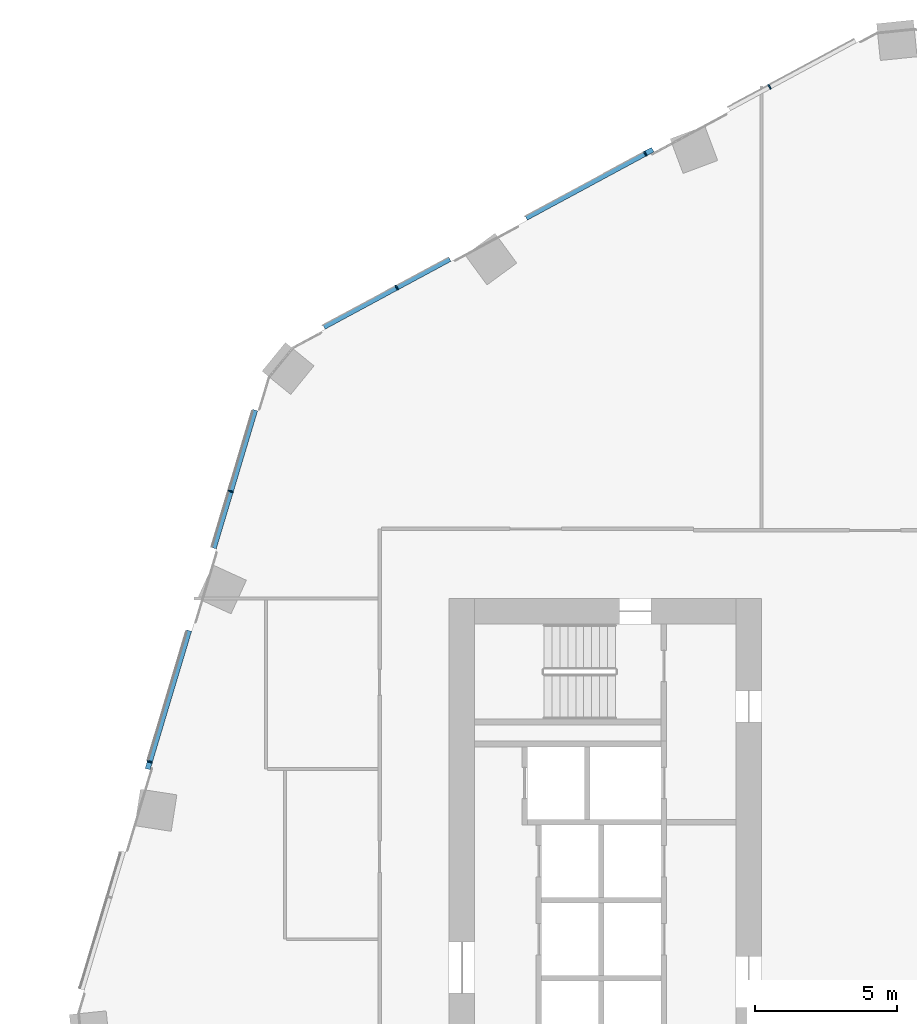
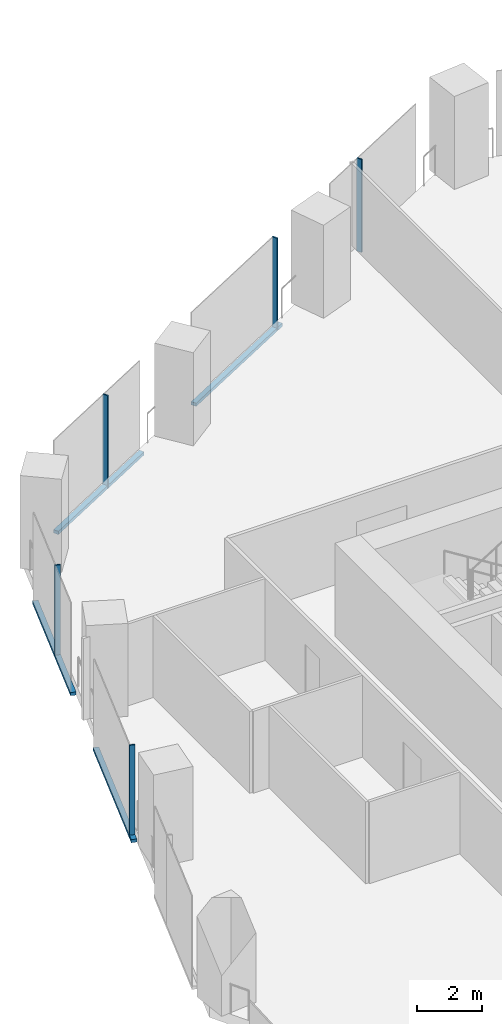
# One storey, part 9 of 32: 9 members, 2 elements without a shape of their own.
"""IFC4 building model written with IfcOpenShell, lengths in metres."""

from ifc_helpers import new_model, si_unit, direction, frame, origin, origin_2d, place, context, subcontext, project, spatial, rectangle, extrude, material, material_profile, profile_set, type_object, element, aggregate, save


model = new_model("IFC4")

# Units and contexts
model_context = context("Model", 3, precision=1e-05, world=origin(), true_north=direction((0.0, 1.0)))
body_context = subcontext(model_context, "Body", "Model", "MODEL_VIEW")
ifc_project = project(units=[si_unit("LENGTHUNIT", "METRE"), si_unit("AREAUNIT", "SQUARE_METRE"), si_unit("VOLUMEUNIT", "CUBIC_METRE"), si_unit("PLANEANGLEUNIT", "RADIAN"), si_unit("MASSUNIT", "GRAM", prefix="KILO")], contexts=[model_context])

# Site, building, storey
site_placement = place(None, origin())
site = spatial("IfcSite", under=ifc_project, at=site_placement, CompositionType="ELEMENT")
building_placement = place(site_placement, origin())
building = spatial("IfcBuilding", under=site, at=building_placement, Name="Orlundy Tower", CompositionType="ELEMENT")
storey_placement = place(building_placement, frame((0.0, 0.0, 123.699951171875)))
storey = spatial("IfcBuildingStorey", under=building, at=storey_placement, Name="L31", CompositionType="ELEMENT", Elevation=123.699951171875)

# Curtain wall, members
ifc_material_1 = material(Name="Aluminium bronze anodised", Category="aluminium")
curtain_wall_type = type_object("IfcCurtainWallType", Name="CW1 wall", PredefinedType="NOTDEFINED", material=ifc_material_1)
curtain_wall_1_placement = place(storey_placement, origin())
curtain_wall_1 = element("IfcCurtainWall", 1, at=curtain_wall_1_placement, inside=storey, type_object=curtain_wall_type, Name="CW1 run 02", PredefinedType="NOTDEFINED")
ifc_material_2 = material(Name="Aluminium bronze anodised", Category="aluminium")
ifc_material_profile_1 = material_profile(ifc_material_2, rectangle(XDim=0.179931640625, YDim=0.050048828125, at=origin_2d()), Name="CW1 mullion 50x180")
ifc_profile_set_1 = profile_set([ifc_material_profile_1], Name="Aluminium bronze anodised")
member_type_1 = type_object("IfcMemberType", Name="CW1 mullion 50x180", PredefinedType="MULLION", material=ifc_profile_set_1)
member_1_placement = place(storey_placement, frame((-29.5390625, 6.2490234375, -0.39990234375), z_axis=(0.0, 0.0, 1.0), x_axis=(-0.957985612971, 0.286816257107, 0.0)))
member_1 = element("IfcMember", 2, at=member_1_placement, type_object=member_type_1, Name="CW1 mullion 11", PredefinedType="MULLION", context=body_context, shape_type="SweptSolid", body=[
    extrude(rectangle(XDim=0.179931640625, YDim=0.050048828125, at=origin_2d()), origin(), (0.0, 0.0, 1.0), 3.5),
])
member_2_placement = place(storey_placement, frame((-26.687744140625, 15.772216796875, -0.39990234375), z_axis=(0.0, 0.0, 1.0), x_axis=(-0.957985612971, 0.286816257107, 0.0)))
member_2 = element("IfcMember", 3, at=member_2_placement, type_object=member_type_1, Name="CW1 mullion 13", PredefinedType="MULLION", context=body_context, shape_type="SweptSolid", body=[
    extrude(rectangle(XDim=0.179931640625, YDim=0.050048828125, at=origin_2d()), origin(), (0.0, 0.0, 1.0), 3.5),
])

curtain_wall_2_placement = place(storey_placement, origin())
curtain_wall_2 = element("IfcCurtainWall", 4, at=curtain_wall_2_placement, inside=storey, type_object=curtain_wall_type, Name="CW1 run 03", PredefinedType="NOTDEFINED")
member_3_placement = place(storey_placement, frame((-20.843505859375, 22.946533203125, -0.39990234375), z_axis=(0.0, 0.0, 1.0), x_axis=(-0.47461800373, 0.880191882793, 0.0)))
member_3 = element("IfcMember", 5, at=member_3_placement, type_object=member_type_1, Name="CW1 mullion 15", PredefinedType="MULLION", context=body_context, shape_type="SweptSolid", body=[
    extrude(rectangle(XDim=0.179931640625, YDim=0.050048828125, at=origin_2d()), origin(), (0.0, 0.0, 1.0), 3.5),
])
member_4_placement = place(storey_placement, frame((-12.093017578125, 27.664794921875, -0.39990234375), z_axis=(0.0, 0.0, 1.0), x_axis=(-0.47461800373, 0.880191882793, 0.0)))
member_4 = element("IfcMember", 6, at=member_4_placement, type_object=member_type_1, Name="CW1 mullion 17", PredefinedType="MULLION", context=body_context, shape_type="SweptSolid", body=[
    extrude(rectangle(XDim=0.179931640625, YDim=0.050048828125, at=origin_2d()), origin(), (0.0, 0.0, 1.0), 3.5),
])
member_5_placement = place(storey_placement, frame((-7.718017578125, 30.02392578125, -0.39990234375), z_axis=(0.0, 0.0, 1.0), x_axis=(-0.47461800373, 0.880191882793, 0.0)))
member_5 = element("IfcMember", 7, at=member_5_placement, type_object=member_type_1, Name="CW1 mullion 18", PredefinedType="MULLION", context=body_context, shape_type="SweptSolid", body=[
    extrude(rectangle(XDim=0.179931640625, YDim=0.050048828125, at=origin_2d()), origin(), (0.0, 0.0, 1.0), 3.5),
])

# Member
ifc_material_3 = material(Name="Aluminium bronze anodised", Category="aluminium")
ifc_material_profile_2 = material_profile(ifc_material_3, rectangle(XDim=0.179931640625, YDim=0.1201171875, at=origin_2d()), Name="CW1 transom 180x120")
ifc_profile_set_2 = profile_set([ifc_material_profile_2], Name="Aluminium bronze anodised")
member_type_2 = type_object("IfcMemberType", Name="CW1 transom 180x120", PredefinedType="USERDEFINED", material=ifc_profile_set_2)
member_6_placement = place(storey_placement, frame((-29.615234375, 5.99462890625, -0.33984375), z_axis=(0.286815236215, 0.95798591862, 0.0), x_axis=(-0.95798591862, 0.286815236215, 0.0)))
member_6 = element("IfcMember", 8, at=member_6_placement, type_object=member_type_2, Name="CW1 transom", ObjectType="TRANSOM", PredefinedType="USERDEFINED", context=body_context, shape_type="SweptSolid", body=[
    extrude(rectangle(XDim=0.179931640625, YDim=0.1201171875, at=origin_2d()), origin(), (0.0, 0.0, 1.0), 5.088623046875),
])

member_7_placement = place(storey_placement, frame((-27.286376953125, 13.772705078125, -0.33984375), z_axis=(0.286782686481, 0.957995663213, 0.0), x_axis=(-0.957995663213, 0.286782686481, 0.0)))
member_7 = element("IfcMember", 9, at=member_7_placement, type_object=member_type_2, Name="CW1 transom", ObjectType="TRANSOM", PredefinedType="USERDEFINED", context=body_context, shape_type="SweptSolid", body=[
    extrude(rectangle(XDim=0.179931640625, YDim=0.1201171875, at=origin_2d()), origin(), (0.0, 0.0, 1.0), 5.072998046875),
])

aggregate(curtain_wall_1, [member_1, member_2, member_6, member_7])

member_8_placement = place(storey_placement, frame((-23.408203125, 21.5634765625, -0.33984375), z_axis=(0.880187503733, 0.474626124726, 0.0), x_axis=(-0.474626124726, 0.880187503733, 0.0)))
member_8 = element("IfcMember", 10, at=member_8_placement, type_object=member_type_2, Name="CW1 transom", ObjectType="TRANSOM", PredefinedType="USERDEFINED", context=body_context, shape_type="SweptSolid", body=[
    extrude(rectangle(XDim=0.179931640625, YDim=0.1201171875, at=origin_2d()), origin(), (0.0, 0.0, 1.0), 5.03369140625),
])

member_9_placement = place(storey_placement, frame((-16.288330078125, 25.402587890625, -0.33984375), z_axis=(0.880181419125, 0.474637408374, 0.0), x_axis=(-0.474637408374, 0.880181419125, 0.0)))
member_9 = element("IfcMember", 11, at=member_9_placement, type_object=member_type_2, Name="CW1 transom", ObjectType="TRANSOM", PredefinedType="USERDEFINED", context=body_context, shape_type="SweptSolid", body=[
    extrude(rectangle(XDim=0.179931640625, YDim=0.1201171875, at=origin_2d()), origin(), (0.0, 0.0, 1.0), 5.0634765625),
])

aggregate(curtain_wall_2, [member_3, member_4, member_5, member_8, member_9])

save(model, "model.ifc")
